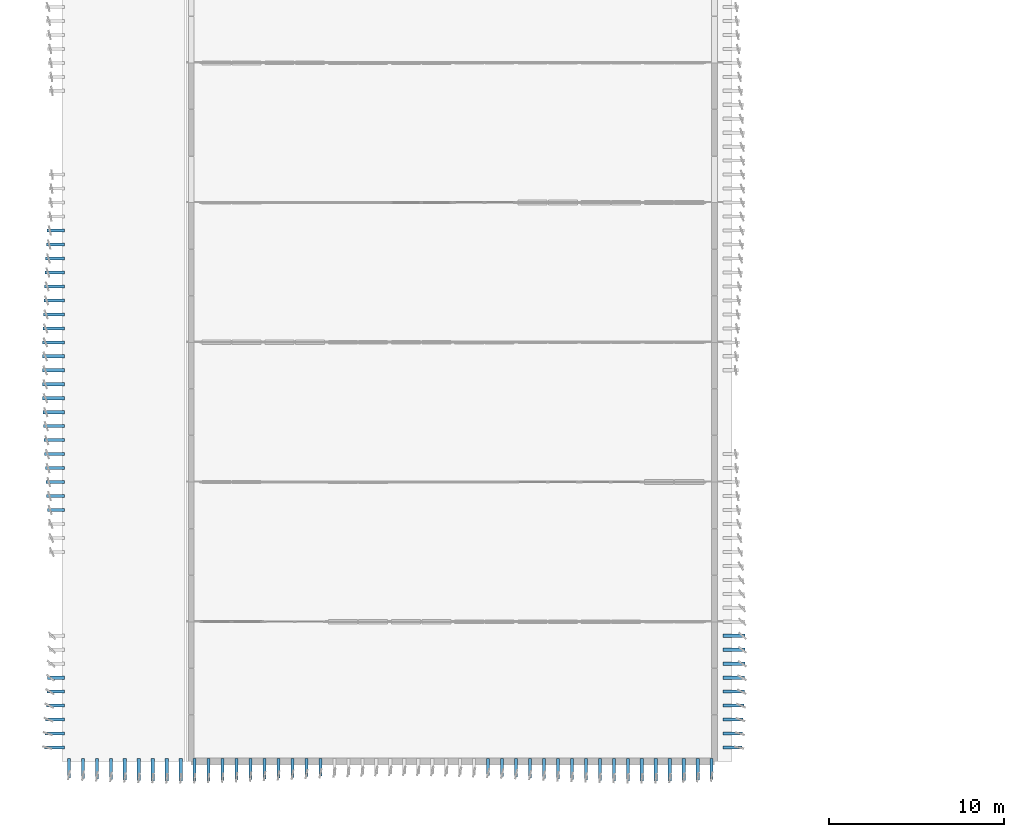
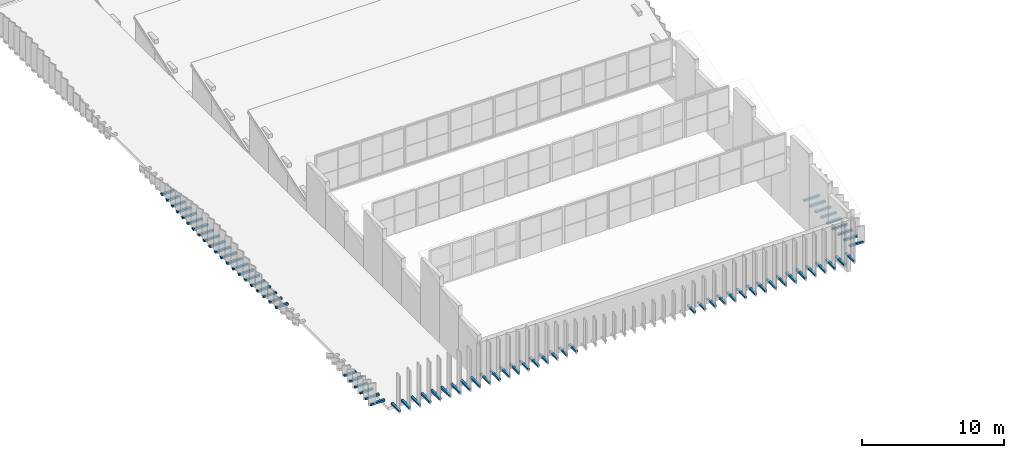
# One storey, part 33 of 45: 72 discrete accessories.
"""IFC4 building model written with IfcOpenShell, lengths in metres."""

from ifc_helpers import new_model, si_unit, direction, frame, origin, origin_2d, place, context, subcontext, project, spatial, rectangle, extrude, material, type_object, element, save


model = new_model("IFC4")

# Units and contexts
model_context = context("Model", 3, precision=1e-05, world=origin(), true_north=direction((0.0, 1.0)))
body_context = subcontext(model_context, "Body", "Model", "MODEL_VIEW")
ifc_project = project(units=[si_unit("LENGTHUNIT", "METRE"), si_unit("AREAUNIT", "SQUARE_METRE"), si_unit("VOLUMEUNIT", "CUBIC_METRE"), si_unit("PLANEANGLEUNIT", "RADIAN"), si_unit("MASSUNIT", "GRAM", prefix="KILO")], contexts=[model_context])

# Site, building, storey
site_placement = place(None, origin())
site = spatial("IfcSite", under=ifc_project, at=site_placement, CompositionType="ELEMENT")
building_placement = place(site_placement, origin())
building = spatial("IfcBuilding", under=site, at=building_placement, Name="Cinchona Park Media Centre", CompositionType="ELEMENT")
storey_placement = place(building_placement, frame((0.0, 0.0, 20.39990234375)))
storey = spatial("IfcBuildingStorey", under=building, at=storey_placement, Name="L04", CompositionType="ELEMENT", Elevation=20.39990234375)

# Discrete accessories
ifc_material = material(Name="Steel S355", Category="steel")
discrete_accessory_type = type_object("IfcDiscreteAccessoryType", Name="BRACKET-BRK01", PredefinedType="BRACKET", material=ifc_material)
discrete_accessory_1_placement = place(storey_placement, frame((7.655029296875, 38.0, 0.0400390625), z_axis=(0.0, 0.0, 1.0), x_axis=(0.0, -1.0, 0.0)))
element("IfcDiscreteAccessory", 1, at=discrete_accessory_1_placement, inside=storey, type_object=discrete_accessory_type, Name="Facade Fin Outrigger Bracket L04", PredefinedType="BRACKET", context=body_context, shape_type="SweptSolid", body=[
    extrude(rectangle(XDim=0.179931640625, YDim=1.010986328125, at=origin_2d()), origin(), (0.0, 0.0, 1.0), 0.159912109375),
])
discrete_accessory_2_placement = place(storey_placement, frame((7.635009765625, 37.199951171875, 0.0400390625), z_axis=(0.0, 0.0, 1.0), x_axis=(0.0, -1.0, 0.0)))
element("IfcDiscreteAccessory", 2, at=discrete_accessory_2_placement, inside=storey, type_object=discrete_accessory_type, Name="Facade Fin Outrigger Bracket L04", PredefinedType="BRACKET", context=body_context, shape_type="SweptSolid", body=[
    extrude(rectangle(XDim=0.179931640625, YDim=1.050048828125, at=origin_2d()), origin(), (0.0, 0.0, 1.0), 0.159912109375),
])
discrete_accessory_3_placement = place(storey_placement, frame((7.614990234375, 36.39990234375, 0.0400390625), z_axis=(0.0, 0.0, 1.0), x_axis=(0.0, -1.0, 0.0)))
element("IfcDiscreteAccessory", 3, at=discrete_accessory_3_placement, inside=storey, type_object=discrete_accessory_type, Name="Facade Fin Outrigger Bracket L04", PredefinedType="BRACKET", context=body_context, shape_type="SweptSolid", body=[
    extrude(rectangle(XDim=0.179931640625, YDim=1.090087890625, at=origin_2d()), origin(), (0.0, 0.0, 1.0), 0.159912109375),
])
discrete_accessory_4_placement = place(storey_placement, frame((7.594970703125, 35.60009765625, 0.0400390625), z_axis=(0.0, 0.0, 1.0), x_axis=(0.0, -1.0, 0.0)))
element("IfcDiscreteAccessory", 4, at=discrete_accessory_4_placement, inside=storey, type_object=discrete_accessory_type, Name="Facade Fin Outrigger Bracket L04", PredefinedType="BRACKET", context=body_context, shape_type="SweptSolid", body=[
    extrude(rectangle(XDim=0.179931640625, YDim=1.12890625, at=origin_2d()), origin(), (0.0, 0.0, 1.0), 0.159912109375),
])
discrete_accessory_5_placement = place(storey_placement, frame((7.576904296875, 34.800048828125, 0.0400390625), z_axis=(0.0, 0.0, 1.0), x_axis=(0.0, -1.0, 0.0)))
element("IfcDiscreteAccessory", 5, at=discrete_accessory_5_placement, inside=storey, type_object=discrete_accessory_type, Name="Facade Fin Outrigger Bracket L04", PredefinedType="BRACKET", context=body_context, shape_type="SweptSolid", body=[
    extrude(rectangle(XDim=0.179931640625, YDim=1.166015625, at=origin_2d()), origin(), (0.0, 0.0, 1.0), 0.159912109375),
])
discrete_accessory_6_placement = place(storey_placement, frame((7.56005859375, 34.0, 0.0400390625), z_axis=(0.0, 0.0, 1.0), x_axis=(0.0, -1.0, 0.0)))
element("IfcDiscreteAccessory", 6, at=discrete_accessory_6_placement, inside=storey, type_object=discrete_accessory_type, Name="Facade Fin Outrigger Bracket L04", PredefinedType="BRACKET", context=body_context, shape_type="SweptSolid", body=[
    extrude(rectangle(XDim=0.179931640625, YDim=1.199951171875, at=origin_2d()), origin(), (0.0, 0.0, 1.0), 0.159912109375),
])
discrete_accessory_7_placement = place(storey_placement, frame((7.5458984375, 33.199951171875, 0.0400390625), z_axis=(0.0, 0.0, 1.0), x_axis=(0.0, -1.0, 0.0)))
element("IfcDiscreteAccessory", 7, at=discrete_accessory_7_placement, inside=storey, type_object=discrete_accessory_type, Name="Facade Fin Outrigger Bracket L04", PredefinedType="BRACKET", context=body_context, shape_type="SweptSolid", body=[
    extrude(rectangle(XDim=0.179931640625, YDim=1.22900390625, at=origin_2d()), origin(), (0.0, 0.0, 1.0), 0.159912109375),
])
discrete_accessory_8_placement = place(storey_placement, frame((7.533935546875, 32.39990234375, 0.0400390625), z_axis=(0.0, 0.0, 1.0), x_axis=(0.0, -1.0, 0.0)))
element("IfcDiscreteAccessory", 8, at=discrete_accessory_8_placement, inside=storey, type_object=discrete_accessory_type, Name="Facade Fin Outrigger Bracket L04", PredefinedType="BRACKET", context=body_context, shape_type="SweptSolid", body=[
    extrude(rectangle(XDim=0.179931640625, YDim=1.251953125, at=origin_2d()), origin(), (0.0, 0.0, 1.0), 0.159912109375),
])
discrete_accessory_9_placement = place(storey_placement, frame((7.52587890625, 31.60009765625, 0.0400390625), z_axis=(0.0, 0.0, 1.0), x_axis=(0.0, -1.0, 0.0)))
element("IfcDiscreteAccessory", 9, at=discrete_accessory_9_placement, inside=storey, type_object=discrete_accessory_type, Name="Facade Fin Outrigger Bracket L04", PredefinedType="BRACKET", context=body_context, shape_type="SweptSolid", body=[
    extrude(rectangle(XDim=0.179931640625, YDim=1.26806640625, at=origin_2d()), origin(), (0.0, 0.0, 1.0), 0.159912109375),
])
discrete_accessory_10_placement = place(storey_placement, frame((7.52099609375, 30.800048828125, 0.0400390625), z_axis=(0.0, 0.0, 1.0), x_axis=(0.0, -1.0, 0.0)))
element("IfcDiscreteAccessory", 10, at=discrete_accessory_10_placement, inside=storey, type_object=discrete_accessory_type, Name="Facade Fin Outrigger Bracket L04", PredefinedType="BRACKET", context=body_context, shape_type="SweptSolid", body=[
    extrude(rectangle(XDim=0.179931640625, YDim=1.278076171875, at=origin_2d()), origin(), (0.0, 0.0, 1.0), 0.159912109375),
])
discrete_accessory_11_placement = place(storey_placement, frame((7.52001953125, 30.0, 0.0400390625), z_axis=(0.0, 0.0, 1.0), x_axis=(0.0, -1.0, 0.0)))
element("IfcDiscreteAccessory", 11, at=discrete_accessory_11_placement, inside=storey, type_object=discrete_accessory_type, Name="Facade Fin Outrigger Bracket L04", PredefinedType="BRACKET", context=body_context, shape_type="SweptSolid", body=[
    extrude(rectangle(XDim=0.179931640625, YDim=1.280029296875, at=origin_2d()), origin(), (0.0, 0.0, 1.0), 0.159912109375),
])
discrete_accessory_12_placement = place(storey_placement, frame((7.52294921875, 29.199951171875, 0.0400390625), z_axis=(0.0, 0.0, 1.0), x_axis=(0.0, -1.0, 0.0)))
element("IfcDiscreteAccessory", 12, at=discrete_accessory_12_placement, inside=storey, type_object=discrete_accessory_type, Name="Facade Fin Outrigger Bracket L04", PredefinedType="BRACKET", context=body_context, shape_type="SweptSolid", body=[
    extrude(rectangle(XDim=0.179931640625, YDim=1.27392578125, at=origin_2d()), origin(), (0.0, 0.0, 1.0), 0.159912109375),
])
discrete_accessory_13_placement = place(storey_placement, frame((7.529052734375, 28.39990234375, 0.0400390625), z_axis=(0.0, 0.0, 1.0), x_axis=(0.0, -1.0, 0.0)))
element("IfcDiscreteAccessory", 13, at=discrete_accessory_13_placement, inside=storey, type_object=discrete_accessory_type, Name="Facade Fin Outrigger Bracket L04", PredefinedType="BRACKET", context=body_context, shape_type="SweptSolid", body=[
    extrude(rectangle(XDim=0.179931640625, YDim=1.260986328125, at=origin_2d()), origin(), (0.0, 0.0, 1.0), 0.159912109375),
])
discrete_accessory_14_placement = place(storey_placement, frame((7.5390625, 27.60009765625, 0.0400390625), z_axis=(0.0, 0.0, 1.0), x_axis=(0.0, -1.0, 0.0)))
element("IfcDiscreteAccessory", 14, at=discrete_accessory_14_placement, inside=storey, type_object=discrete_accessory_type, Name="Facade Fin Outrigger Bracket L04", PredefinedType="BRACKET", context=body_context, shape_type="SweptSolid", body=[
    extrude(rectangle(XDim=0.179931640625, YDim=1.240966796875, at=origin_2d()), origin(), (0.0, 0.0, 1.0), 0.159912109375),
])
discrete_accessory_15_placement = place(storey_placement, frame((7.552978515625, 26.800048828125, 0.0400390625), z_axis=(0.0, 0.0, 1.0), x_axis=(0.0, -1.0, 0.0)))
element("IfcDiscreteAccessory", 15, at=discrete_accessory_15_placement, inside=storey, type_object=discrete_accessory_type, Name="Facade Fin Outrigger Bracket L04", PredefinedType="BRACKET", context=body_context, shape_type="SweptSolid", body=[
    extrude(rectangle(XDim=0.179931640625, YDim=1.215087890625, at=origin_2d()), origin(), (0.0, 0.0, 1.0), 0.159912109375),
])
discrete_accessory_16_placement = place(storey_placement, frame((7.568115234375, 26.0, 0.0400390625), z_axis=(0.0, 0.0, 1.0), x_axis=(0.0, -1.0, 0.0)))
element("IfcDiscreteAccessory", 16, at=discrete_accessory_16_placement, inside=storey, type_object=discrete_accessory_type, Name="Facade Fin Outrigger Bracket L04", PredefinedType="BRACKET", context=body_context, shape_type="SweptSolid", body=[
    extrude(rectangle(XDim=0.179931640625, YDim=1.18408203125, at=origin_2d()), origin(), (0.0, 0.0, 1.0), 0.159912109375),
])
discrete_accessory_17_placement = place(storey_placement, frame((7.5859375, 25.199951171875, 0.0400390625), z_axis=(0.0, 0.0, 1.0), x_axis=(0.0, -1.0, 0.0)))
element("IfcDiscreteAccessory", 17, at=discrete_accessory_17_placement, inside=storey, type_object=discrete_accessory_type, Name="Facade Fin Outrigger Bracket L04", PredefinedType="BRACKET", context=body_context, shape_type="SweptSolid", body=[
    extrude(rectangle(XDim=0.179931640625, YDim=1.14794921875, at=origin_2d()), origin(), (0.0, 0.0, 1.0), 0.159912109375),
])
discrete_accessory_18_placement = place(storey_placement, frame((7.60498046875, 24.39990234375, 0.0400390625), z_axis=(0.0, 0.0, 1.0), x_axis=(0.0, -1.0, 0.0)))
element("IfcDiscreteAccessory", 18, at=discrete_accessory_18_placement, inside=storey, type_object=discrete_accessory_type, Name="Facade Fin Outrigger Bracket L04", PredefinedType="BRACKET", context=body_context, shape_type="SweptSolid", body=[
    extrude(rectangle(XDim=0.179931640625, YDim=1.110107421875, at=origin_2d()), origin(), (0.0, 0.0, 1.0), 0.159912109375),
])
discrete_accessory_19_placement = place(storey_placement, frame((7.625, 23.60009765625, 0.0400390625), z_axis=(0.0, 0.0, 1.0), x_axis=(0.0, -1.0, 0.0)))
element("IfcDiscreteAccessory", 19, at=discrete_accessory_19_placement, inside=storey, type_object=discrete_accessory_type, Name="Facade Fin Outrigger Bracket L04", PredefinedType="BRACKET", context=body_context, shape_type="SweptSolid", body=[
    extrude(rectangle(XDim=0.179931640625, YDim=1.070068359375, at=origin_2d()), origin(), (0.0, 0.0, 1.0), 0.159912109375),
])
discrete_accessory_20_placement = place(storey_placement, frame((7.64501953125, 22.800048828125, 0.0400390625), z_axis=(0.0, 0.0, 1.0), x_axis=(0.0, -1.0, 0.0)))
element("IfcDiscreteAccessory", 20, at=discrete_accessory_20_placement, inside=storey, type_object=discrete_accessory_type, Name="Facade Fin Outrigger Bracket L04", PredefinedType="BRACKET", context=body_context, shape_type="SweptSolid", body=[
    extrude(rectangle(XDim=0.179931640625, YDim=1.030029296875, at=origin_2d()), origin(), (0.0, 0.0, 1.0), 0.159912109375),
])
discrete_accessory_21_placement = place(storey_placement, frame((7.6640625, 22.0, 0.0400390625), z_axis=(0.0, 0.0, 1.0), x_axis=(0.0, -1.0, 0.0)))
element("IfcDiscreteAccessory", 21, at=discrete_accessory_21_placement, inside=storey, type_object=discrete_accessory_type, Name="Facade Fin Outrigger Bracket L04", PredefinedType="BRACKET", context=body_context, shape_type="SweptSolid", body=[
    extrude(rectangle(XDim=0.179931640625, YDim=0.991943359375, at=origin_2d()), origin(), (0.0, 0.0, 1.0), 0.159912109375),
])
discrete_accessory_22_placement = place(storey_placement, frame((7.673095703125, 12.39990234375, 0.0400390625), z_axis=(0.0, 0.0, 1.0), x_axis=(0.0, -1.0, 0.0)))
element("IfcDiscreteAccessory", 22, at=discrete_accessory_22_placement, inside=storey, type_object=discrete_accessory_type, Name="Facade Fin Outrigger Bracket L04", PredefinedType="BRACKET", context=body_context, shape_type="SweptSolid", body=[
    extrude(rectangle(XDim=0.179931640625, YDim=0.97412109375, at=origin_2d()), origin(), (0.0, 0.0, 1.0), 0.159912109375),
])
discrete_accessory_23_placement = place(storey_placement, frame((7.655029296875, 11.60009765625, 0.0400390625), z_axis=(0.0, 0.0, 1.0), x_axis=(0.0, -1.0, 0.0)))
element("IfcDiscreteAccessory", 23, at=discrete_accessory_23_placement, inside=storey, type_object=discrete_accessory_type, Name="Facade Fin Outrigger Bracket L04", PredefinedType="BRACKET", context=body_context, shape_type="SweptSolid", body=[
    extrude(rectangle(XDim=0.179931640625, YDim=1.010986328125, at=origin_2d()), origin(), (0.0, 0.0, 1.0), 0.159912109375),
])
discrete_accessory_24_placement = place(storey_placement, frame((7.635009765625, 10.800048828125, 0.0400390625), z_axis=(0.0, 0.0, 1.0), x_axis=(0.0, -1.0, 0.0)))
element("IfcDiscreteAccessory", 24, at=discrete_accessory_24_placement, inside=storey, type_object=discrete_accessory_type, Name="Facade Fin Outrigger Bracket L04", PredefinedType="BRACKET", context=body_context, shape_type="SweptSolid", body=[
    extrude(rectangle(XDim=0.179931640625, YDim=1.050048828125, at=origin_2d()), origin(), (0.0, 0.0, 1.0), 0.159912109375),
])
discrete_accessory_25_placement = place(storey_placement, frame((7.614990234375, 10.0, 0.0400390625), z_axis=(0.0, 0.0, 1.0), x_axis=(0.0, -1.0, 0.0)))
element("IfcDiscreteAccessory", 25, at=discrete_accessory_25_placement, inside=storey, type_object=discrete_accessory_type, Name="Facade Fin Outrigger Bracket L04", PredefinedType="BRACKET", context=body_context, shape_type="SweptSolid", body=[
    extrude(rectangle(XDim=0.179931640625, YDim=1.090087890625, at=origin_2d()), origin(), (0.0, 0.0, 1.0), 0.159912109375),
])
discrete_accessory_26_placement = place(storey_placement, frame((7.594970703125, 9.199951171875, 0.0400390625), z_axis=(0.0, 0.0, 1.0), x_axis=(0.0, -1.0, 0.0)))
element("IfcDiscreteAccessory", 26, at=discrete_accessory_26_placement, inside=storey, type_object=discrete_accessory_type, Name="Facade Fin Outrigger Bracket L04", PredefinedType="BRACKET", context=body_context, shape_type="SweptSolid", body=[
    extrude(rectangle(XDim=0.179931640625, YDim=1.12890625, at=origin_2d()), origin(), (0.0, 0.0, 1.0), 0.159912109375),
])
discrete_accessory_27_placement = place(storey_placement, frame((7.576904296875, 8.39990234375, 0.0400390625), z_axis=(0.0, 0.0, 1.0), x_axis=(0.0, -1.0, 0.0)))
element("IfcDiscreteAccessory", 27, at=discrete_accessory_27_placement, inside=storey, type_object=discrete_accessory_type, Name="Facade Fin Outrigger Bracket L04", PredefinedType="BRACKET", context=body_context, shape_type="SweptSolid", body=[
    extrude(rectangle(XDim=0.179931640625, YDim=1.166015625, at=origin_2d()), origin(), (0.0, 0.0, 1.0), 0.159912109375),
])
discrete_accessory_28_placement = place(storey_placement, frame((8.39990234375, 7.215087890625, 0.0400390625), z_axis=(0.0, 0.0, 1.0), x_axis=(1.0, 0.0, 0.0)))
element("IfcDiscreteAccessory", 28, at=discrete_accessory_28_placement, inside=storey, type_object=discrete_accessory_type, Name="Facade Fin Outrigger Bracket L04", PredefinedType="BRACKET", context=body_context, shape_type="SweptSolid", body=[
    extrude(rectangle(XDim=0.179931640625, YDim=1.090087890625, at=origin_2d()), origin(), (0.0, 0.0, 1.0), 0.159912109375),
])
discrete_accessory_29_placement = place(storey_placement, frame((9.199951171875, 7.195068359375, 0.0400390625), z_axis=(0.0, 0.0, 1.0), x_axis=(1.0, 0.0, 0.0)))
element("IfcDiscreteAccessory", 29, at=discrete_accessory_29_placement, inside=storey, type_object=discrete_accessory_type, Name="Facade Fin Outrigger Bracket L04", PredefinedType="BRACKET", context=body_context, shape_type="SweptSolid", body=[
    extrude(rectangle(XDim=0.179931640625, YDim=1.12890625, at=origin_2d()), origin(), (0.0, 0.0, 1.0), 0.159912109375),
])
discrete_accessory_30_placement = place(storey_placement, frame((10.0, 7.177001953125, 0.0400390625), z_axis=(0.0, 0.0, 1.0), x_axis=(1.0, 0.0, 0.0)))
element("IfcDiscreteAccessory", 30, at=discrete_accessory_30_placement, inside=storey, type_object=discrete_accessory_type, Name="Facade Fin Outrigger Bracket L04", PredefinedType="BRACKET", context=body_context, shape_type="SweptSolid", body=[
    extrude(rectangle(XDim=0.179931640625, YDim=1.166015625, at=origin_2d()), origin(), (0.0, 0.0, 1.0), 0.159912109375),
])
discrete_accessory_31_placement = place(storey_placement, frame((10.800048828125, 7.159912109375, 0.0400390625), z_axis=(0.0, 0.0, 1.0), x_axis=(1.0, 0.0, 0.0)))
element("IfcDiscreteAccessory", 31, at=discrete_accessory_31_placement, inside=storey, type_object=discrete_accessory_type, Name="Facade Fin Outrigger Bracket L04", PredefinedType="BRACKET", context=body_context, shape_type="SweptSolid", body=[
    extrude(rectangle(XDim=0.179931640625, YDim=1.199951171875, at=origin_2d()), origin(), (0.0, 0.0, 1.0), 0.159912109375),
])
discrete_accessory_32_placement = place(storey_placement, frame((11.60009765625, 7.14599609375, 0.0400390625), z_axis=(0.0, 0.0, 1.0), x_axis=(1.0, 0.0, 0.0)))
element("IfcDiscreteAccessory", 32, at=discrete_accessory_32_placement, inside=storey, type_object=discrete_accessory_type, Name="Facade Fin Outrigger Bracket L04", PredefinedType="BRACKET", context=body_context, shape_type="SweptSolid", body=[
    extrude(rectangle(XDim=0.179931640625, YDim=1.22900390625, at=origin_2d()), origin(), (0.0, 0.0, 1.0), 0.159912109375),
])
discrete_accessory_33_placement = place(storey_placement, frame((12.39990234375, 7.134033203125, 0.0400390625), z_axis=(0.0, 0.0, 1.0), x_axis=(1.0, 0.0, 0.0)))
element("IfcDiscreteAccessory", 33, at=discrete_accessory_33_placement, inside=storey, type_object=discrete_accessory_type, Name="Facade Fin Outrigger Bracket L04", PredefinedType="BRACKET", context=body_context, shape_type="SweptSolid", body=[
    extrude(rectangle(XDim=0.179931640625, YDim=1.251953125, at=origin_2d()), origin(), (0.0, 0.0, 1.0), 0.159912109375),
])
discrete_accessory_34_placement = place(storey_placement, frame((13.199951171875, 7.1259765625, 0.0400390625), z_axis=(0.0, 0.0, 1.0), x_axis=(1.0, 0.0, 0.0)))
element("IfcDiscreteAccessory", 34, at=discrete_accessory_34_placement, inside=storey, type_object=discrete_accessory_type, Name="Facade Fin Outrigger Bracket L04", PredefinedType="BRACKET", context=body_context, shape_type="SweptSolid", body=[
    extrude(rectangle(XDim=0.179931640625, YDim=1.26806640625, at=origin_2d()), origin(), (0.0, 0.0, 1.0), 0.159912109375),
])
discrete_accessory_35_placement = place(storey_placement, frame((14.0, 7.12109375, 0.0400390625), z_axis=(0.0, 0.0, 1.0), x_axis=(1.0, 0.0, 0.0)))
element("IfcDiscreteAccessory", 35, at=discrete_accessory_35_placement, inside=storey, type_object=discrete_accessory_type, Name="Facade Fin Outrigger Bracket L04", PredefinedType="BRACKET", context=body_context, shape_type="SweptSolid", body=[
    extrude(rectangle(XDim=0.179931640625, YDim=1.278076171875, at=origin_2d()), origin(), (0.0, 0.0, 1.0), 0.159912109375),
])
discrete_accessory_36_placement = place(storey_placement, frame((14.800048828125, 7.1201171875, 0.0400390625), z_axis=(0.0, 0.0, 1.0), x_axis=(1.0, 0.0, 0.0)))
element("IfcDiscreteAccessory", 36, at=discrete_accessory_36_placement, inside=storey, type_object=discrete_accessory_type, Name="Facade Fin Outrigger Bracket L04", PredefinedType="BRACKET", context=body_context, shape_type="SweptSolid", body=[
    extrude(rectangle(XDim=0.179931640625, YDim=1.280029296875, at=origin_2d()), origin(), (0.0, 0.0, 1.0), 0.159912109375),
])
discrete_accessory_37_placement = place(storey_placement, frame((15.60009765625, 7.123046875, 0.0400390625), z_axis=(0.0, 0.0, 1.0), x_axis=(1.0, 0.0, 0.0)))
element("IfcDiscreteAccessory", 37, at=discrete_accessory_37_placement, inside=storey, type_object=discrete_accessory_type, Name="Facade Fin Outrigger Bracket L04", PredefinedType="BRACKET", context=body_context, shape_type="SweptSolid", body=[
    extrude(rectangle(XDim=0.179931640625, YDim=1.27392578125, at=origin_2d()), origin(), (0.0, 0.0, 1.0), 0.159912109375),
])
discrete_accessory_38_placement = place(storey_placement, frame((16.39990234375, 7.12890625, 0.0400390625), z_axis=(0.0, 0.0, 1.0), x_axis=(1.0, 0.0, 0.0)))
element("IfcDiscreteAccessory", 38, at=discrete_accessory_38_placement, inside=storey, type_object=discrete_accessory_type, Name="Facade Fin Outrigger Bracket L04", PredefinedType="BRACKET", context=body_context, shape_type="SweptSolid", body=[
    extrude(rectangle(XDim=0.179931640625, YDim=1.260986328125, at=origin_2d()), origin(), (0.0, 0.0, 1.0), 0.159912109375),
])
discrete_accessory_39_placement = place(storey_placement, frame((17.199951171875, 7.138916015625, 0.0400390625), z_axis=(0.0, 0.0, 1.0), x_axis=(1.0, 0.0, 0.0)))
element("IfcDiscreteAccessory", 39, at=discrete_accessory_39_placement, inside=storey, type_object=discrete_accessory_type, Name="Facade Fin Outrigger Bracket L04", PredefinedType="BRACKET", context=body_context, shape_type="SweptSolid", body=[
    extrude(rectangle(XDim=0.179931640625, YDim=1.240966796875, at=origin_2d()), origin(), (0.0, 0.0, 1.0), 0.159912109375),
])
discrete_accessory_40_placement = place(storey_placement, frame((18.0, 7.153076171875, 0.0400390625), z_axis=(0.0, 0.0, 1.0), x_axis=(1.0, 0.0, 0.0)))
element("IfcDiscreteAccessory", 40, at=discrete_accessory_40_placement, inside=storey, type_object=discrete_accessory_type, Name="Facade Fin Outrigger Bracket L04", PredefinedType="BRACKET", context=body_context, shape_type="SweptSolid", body=[
    extrude(rectangle(XDim=0.179931640625, YDim=1.215087890625, at=origin_2d()), origin(), (0.0, 0.0, 1.0), 0.159912109375),
])
discrete_accessory_41_placement = place(storey_placement, frame((18.800048828125, 7.16796875, 0.0400390625), z_axis=(0.0, 0.0, 1.0), x_axis=(1.0, 0.0, 0.0)))
element("IfcDiscreteAccessory", 41, at=discrete_accessory_41_placement, inside=storey, type_object=discrete_accessory_type, Name="Facade Fin Outrigger Bracket L04", PredefinedType="BRACKET", context=body_context, shape_type="SweptSolid", body=[
    extrude(rectangle(XDim=0.179931640625, YDim=1.18408203125, at=origin_2d()), origin(), (0.0, 0.0, 1.0), 0.159912109375),
])
discrete_accessory_42_placement = place(storey_placement, frame((19.60009765625, 7.18603515625, 0.0400390625), z_axis=(0.0, 0.0, 1.0), x_axis=(1.0, 0.0, 0.0)))
element("IfcDiscreteAccessory", 42, at=discrete_accessory_42_placement, inside=storey, type_object=discrete_accessory_type, Name="Facade Fin Outrigger Bracket L04", PredefinedType="BRACKET", context=body_context, shape_type="SweptSolid", body=[
    extrude(rectangle(XDim=0.179931640625, YDim=1.14794921875, at=origin_2d()), origin(), (0.0, 0.0, 1.0), 0.159912109375),
])
discrete_accessory_43_placement = place(storey_placement, frame((20.39990234375, 7.205078125, 0.0400390625), z_axis=(0.0, 0.0, 1.0), x_axis=(1.0, 0.0, 0.0)))
element("IfcDiscreteAccessory", 43, at=discrete_accessory_43_placement, inside=storey, type_object=discrete_accessory_type, Name="Facade Fin Outrigger Bracket L04", PredefinedType="BRACKET", context=body_context, shape_type="SweptSolid", body=[
    extrude(rectangle(XDim=0.179931640625, YDim=1.110107421875, at=origin_2d()), origin(), (0.0, 0.0, 1.0), 0.159912109375),
])
discrete_accessory_44_placement = place(storey_placement, frame((21.199951171875, 7.22509765625, 0.0400390625), z_axis=(0.0, 0.0, 1.0), x_axis=(1.0, 0.0, 0.0)))
element("IfcDiscreteAccessory", 44, at=discrete_accessory_44_placement, inside=storey, type_object=discrete_accessory_type, Name="Facade Fin Outrigger Bracket L04", PredefinedType="BRACKET", context=body_context, shape_type="SweptSolid", body=[
    extrude(rectangle(XDim=0.179931640625, YDim=1.070068359375, at=origin_2d()), origin(), (0.0, 0.0, 1.0), 0.159912109375),
])
discrete_accessory_45_placement = place(storey_placement, frame((22.0, 7.2451171875, 0.0400390625), z_axis=(0.0, 0.0, 1.0), x_axis=(1.0, 0.0, 0.0)))
element("IfcDiscreteAccessory", 45, at=discrete_accessory_45_placement, inside=storey, type_object=discrete_accessory_type, Name="Facade Fin Outrigger Bracket L04", PredefinedType="BRACKET", context=body_context, shape_type="SweptSolid", body=[
    extrude(rectangle(XDim=0.179931640625, YDim=1.030029296875, at=origin_2d()), origin(), (0.0, 0.0, 1.0), 0.159912109375),
])
discrete_accessory_46_placement = place(storey_placement, frame((22.800048828125, 7.263916015625, 0.0400390625), z_axis=(0.0, 0.0, 1.0), x_axis=(1.0, 0.0, 0.0)))
element("IfcDiscreteAccessory", 46, at=discrete_accessory_46_placement, inside=storey, type_object=discrete_accessory_type, Name="Facade Fin Outrigger Bracket L04", PredefinedType="BRACKET", context=body_context, shape_type="SweptSolid", body=[
    extrude(rectangle(XDim=0.179931640625, YDim=0.991943359375, at=origin_2d()), origin(), (0.0, 0.0, 1.0), 0.159912109375),
])
discrete_accessory_47_placement = place(storey_placement, frame((32.39990234375, 7.27294921875, 0.0400390625), z_axis=(0.0, 0.0, 1.0), x_axis=(1.0, 0.0, 0.0)))
element("IfcDiscreteAccessory", 47, at=discrete_accessory_47_placement, inside=storey, type_object=discrete_accessory_type, Name="Facade Fin Outrigger Bracket L04", PredefinedType="BRACKET", context=body_context, shape_type="SweptSolid", body=[
    extrude(rectangle(XDim=0.179931640625, YDim=0.97412109375, at=origin_2d()), origin(), (0.0, 0.0, 1.0), 0.159912109375),
])
discrete_accessory_48_placement = place(storey_placement, frame((33.199951171875, 7.2548828125, 0.0400390625), z_axis=(0.0, 0.0, 1.0), x_axis=(1.0, 0.0, 0.0)))
element("IfcDiscreteAccessory", 48, at=discrete_accessory_48_placement, inside=storey, type_object=discrete_accessory_type, Name="Facade Fin Outrigger Bracket L04", PredefinedType="BRACKET", context=body_context, shape_type="SweptSolid", body=[
    extrude(rectangle(XDim=0.179931640625, YDim=1.010986328125, at=origin_2d()), origin(), (0.0, 0.0, 1.0), 0.159912109375),
])
discrete_accessory_49_placement = place(storey_placement, frame((34.0, 7.235107421875, 0.0400390625), z_axis=(0.0, 0.0, 1.0), x_axis=(1.0, 0.0, 0.0)))
element("IfcDiscreteAccessory", 49, at=discrete_accessory_49_placement, inside=storey, type_object=discrete_accessory_type, Name="Facade Fin Outrigger Bracket L04", PredefinedType="BRACKET", context=body_context, shape_type="SweptSolid", body=[
    extrude(rectangle(XDim=0.179931640625, YDim=1.050048828125, at=origin_2d()), origin(), (0.0, 0.0, 1.0), 0.159912109375),
])
discrete_accessory_50_placement = place(storey_placement, frame((34.800048828125, 7.215087890625, 0.0400390625), z_axis=(0.0, 0.0, 1.0), x_axis=(1.0, 0.0, 0.0)))
element("IfcDiscreteAccessory", 50, at=discrete_accessory_50_placement, inside=storey, type_object=discrete_accessory_type, Name="Facade Fin Outrigger Bracket L04", PredefinedType="BRACKET", context=body_context, shape_type="SweptSolid", body=[
    extrude(rectangle(XDim=0.179931640625, YDim=1.090087890625, at=origin_2d()), origin(), (0.0, 0.0, 1.0), 0.159912109375),
])
discrete_accessory_51_placement = place(storey_placement, frame((35.60009765625, 7.195068359375, 0.0400390625), z_axis=(0.0, 0.0, 1.0), x_axis=(1.0, 0.0, 0.0)))
element("IfcDiscreteAccessory", 51, at=discrete_accessory_51_placement, inside=storey, type_object=discrete_accessory_type, Name="Facade Fin Outrigger Bracket L04", PredefinedType="BRACKET", context=body_context, shape_type="SweptSolid", body=[
    extrude(rectangle(XDim=0.179931640625, YDim=1.12890625, at=origin_2d()), origin(), (0.0, 0.0, 1.0), 0.159912109375),
])
discrete_accessory_52_placement = place(storey_placement, frame((36.39990234375, 7.177001953125, 0.0400390625), z_axis=(0.0, 0.0, 1.0), x_axis=(1.0, 0.0, 0.0)))
element("IfcDiscreteAccessory", 52, at=discrete_accessory_52_placement, inside=storey, type_object=discrete_accessory_type, Name="Facade Fin Outrigger Bracket L04", PredefinedType="BRACKET", context=body_context, shape_type="SweptSolid", body=[
    extrude(rectangle(XDim=0.179931640625, YDim=1.166015625, at=origin_2d()), origin(), (0.0, 0.0, 1.0), 0.159912109375),
])
discrete_accessory_53_placement = place(storey_placement, frame((37.199951171875, 7.159912109375, 0.0400390625), z_axis=(0.0, 0.0, 1.0), x_axis=(1.0, 0.0, 0.0)))
element("IfcDiscreteAccessory", 53, at=discrete_accessory_53_placement, inside=storey, type_object=discrete_accessory_type, Name="Facade Fin Outrigger Bracket L04", PredefinedType="BRACKET", context=body_context, shape_type="SweptSolid", body=[
    extrude(rectangle(XDim=0.179931640625, YDim=1.199951171875, at=origin_2d()), origin(), (0.0, 0.0, 1.0), 0.159912109375),
])
discrete_accessory_54_placement = place(storey_placement, frame((38.0, 7.14599609375, 0.0400390625), z_axis=(0.0, 0.0, 1.0), x_axis=(1.0, 0.0, 0.0)))
element("IfcDiscreteAccessory", 54, at=discrete_accessory_54_placement, inside=storey, type_object=discrete_accessory_type, Name="Facade Fin Outrigger Bracket L04", PredefinedType="BRACKET", context=body_context, shape_type="SweptSolid", body=[
    extrude(rectangle(XDim=0.179931640625, YDim=1.22900390625, at=origin_2d()), origin(), (0.0, 0.0, 1.0), 0.159912109375),
])
discrete_accessory_55_placement = place(storey_placement, frame((38.800048828125, 7.134033203125, 0.0400390625), z_axis=(0.0, 0.0, 1.0), x_axis=(1.0, 0.0, 0.0)))
element("IfcDiscreteAccessory", 55, at=discrete_accessory_55_placement, inside=storey, type_object=discrete_accessory_type, Name="Facade Fin Outrigger Bracket L04", PredefinedType="BRACKET", context=body_context, shape_type="SweptSolid", body=[
    extrude(rectangle(XDim=0.179931640625, YDim=1.251953125, at=origin_2d()), origin(), (0.0, 0.0, 1.0), 0.159912109375),
])
discrete_accessory_56_placement = place(storey_placement, frame((39.60009765625, 7.1259765625, 0.0400390625), z_axis=(0.0, 0.0, 1.0), x_axis=(1.0, 0.0, 0.0)))
element("IfcDiscreteAccessory", 56, at=discrete_accessory_56_placement, inside=storey, type_object=discrete_accessory_type, Name="Facade Fin Outrigger Bracket L04", PredefinedType="BRACKET", context=body_context, shape_type="SweptSolid", body=[
    extrude(rectangle(XDim=0.179931640625, YDim=1.26806640625, at=origin_2d()), origin(), (0.0, 0.0, 1.0), 0.159912109375),
])
discrete_accessory_57_placement = place(storey_placement, frame((40.39990234375, 7.12109375, 0.0400390625), z_axis=(0.0, 0.0, 1.0), x_axis=(1.0, 0.0, 0.0)))
element("IfcDiscreteAccessory", 57, at=discrete_accessory_57_placement, inside=storey, type_object=discrete_accessory_type, Name="Facade Fin Outrigger Bracket L04", PredefinedType="BRACKET", context=body_context, shape_type="SweptSolid", body=[
    extrude(rectangle(XDim=0.179931640625, YDim=1.278076171875, at=origin_2d()), origin(), (0.0, 0.0, 1.0), 0.159912109375),
])
discrete_accessory_58_placement = place(storey_placement, frame((41.199951171875, 7.1201171875, 0.0400390625), z_axis=(0.0, 0.0, 1.0), x_axis=(1.0, 0.0, 0.0)))
element("IfcDiscreteAccessory", 58, at=discrete_accessory_58_placement, inside=storey, type_object=discrete_accessory_type, Name="Facade Fin Outrigger Bracket L04", PredefinedType="BRACKET", context=body_context, shape_type="SweptSolid", body=[
    extrude(rectangle(XDim=0.179931640625, YDim=1.280029296875, at=origin_2d()), origin(), (0.0, 0.0, 1.0), 0.159912109375),
])
discrete_accessory_59_placement = place(storey_placement, frame((42.0, 7.123046875, 0.0400390625), z_axis=(0.0, 0.0, 1.0), x_axis=(1.0, 0.0, 0.0)))
element("IfcDiscreteAccessory", 59, at=discrete_accessory_59_placement, inside=storey, type_object=discrete_accessory_type, Name="Facade Fin Outrigger Bracket L04", PredefinedType="BRACKET", context=body_context, shape_type="SweptSolid", body=[
    extrude(rectangle(XDim=0.179931640625, YDim=1.27392578125, at=origin_2d()), origin(), (0.0, 0.0, 1.0), 0.159912109375),
])
discrete_accessory_60_placement = place(storey_placement, frame((42.800048828125, 7.12890625, 0.0400390625), z_axis=(0.0, 0.0, 1.0), x_axis=(1.0, 0.0, 0.0)))
element("IfcDiscreteAccessory", 60, at=discrete_accessory_60_placement, inside=storey, type_object=discrete_accessory_type, Name="Facade Fin Outrigger Bracket L04", PredefinedType="BRACKET", context=body_context, shape_type="SweptSolid", body=[
    extrude(rectangle(XDim=0.179931640625, YDim=1.260986328125, at=origin_2d()), origin(), (0.0, 0.0, 1.0), 0.159912109375),
])
discrete_accessory_61_placement = place(storey_placement, frame((43.60009765625, 7.138916015625, 0.0400390625), z_axis=(0.0, 0.0, 1.0), x_axis=(1.0, 0.0, 0.0)))
element("IfcDiscreteAccessory", 61, at=discrete_accessory_61_placement, inside=storey, type_object=discrete_accessory_type, Name="Facade Fin Outrigger Bracket L04", PredefinedType="BRACKET", context=body_context, shape_type="SweptSolid", body=[
    extrude(rectangle(XDim=0.179931640625, YDim=1.240966796875, at=origin_2d()), origin(), (0.0, 0.0, 1.0), 0.159912109375),
])
discrete_accessory_62_placement = place(storey_placement, frame((44.39990234375, 7.153076171875, 0.0400390625), z_axis=(0.0, 0.0, 1.0), x_axis=(1.0, 0.0, 0.0)))
element("IfcDiscreteAccessory", 62, at=discrete_accessory_62_placement, inside=storey, type_object=discrete_accessory_type, Name="Facade Fin Outrigger Bracket L04", PredefinedType="BRACKET", context=body_context, shape_type="SweptSolid", body=[
    extrude(rectangle(XDim=0.179931640625, YDim=1.215087890625, at=origin_2d()), origin(), (0.0, 0.0, 1.0), 0.159912109375),
])
discrete_accessory_63_placement = place(storey_placement, frame((45.199951171875, 7.16796875, 0.0400390625), z_axis=(0.0, 0.0, 1.0), x_axis=(1.0, 0.0, 0.0)))
element("IfcDiscreteAccessory", 63, at=discrete_accessory_63_placement, inside=storey, type_object=discrete_accessory_type, Name="Facade Fin Outrigger Bracket L04", PredefinedType="BRACKET", context=body_context, shape_type="SweptSolid", body=[
    extrude(rectangle(XDim=0.179931640625, YDim=1.18408203125, at=origin_2d()), origin(), (0.0, 0.0, 1.0), 0.159912109375),
])
discrete_accessory_64_placement = place(storey_placement, frame((46.385009765625, 8.39990234375, 0.0400390625), z_axis=(0.0, 0.0, 1.0), x_axis=(0.0, 1.0, 0.0)))
element("IfcDiscreteAccessory", 64, at=discrete_accessory_64_placement, inside=storey, type_object=discrete_accessory_type, Name="Facade Fin Outrigger Bracket L04", PredefinedType="BRACKET", context=body_context, shape_type="SweptSolid", body=[
    extrude(rectangle(XDim=0.179931640625, YDim=1.090087890625, at=origin_2d()), origin(), (0.0, 0.0, 1.0), 0.159912109375),
])
discrete_accessory_65_placement = place(storey_placement, frame((46.405029296875, 9.199951171875, 0.0400390625), z_axis=(0.0, 0.0, 1.0), x_axis=(0.0, 1.0, 0.0)))
element("IfcDiscreteAccessory", 65, at=discrete_accessory_65_placement, inside=storey, type_object=discrete_accessory_type, Name="Facade Fin Outrigger Bracket L04", PredefinedType="BRACKET", context=body_context, shape_type="SweptSolid", body=[
    extrude(rectangle(XDim=0.179931640625, YDim=1.12890625, at=origin_2d()), origin(), (0.0, 0.0, 1.0), 0.159912109375),
])
discrete_accessory_66_placement = place(storey_placement, frame((46.423095703125, 10.0, 0.0400390625), z_axis=(0.0, 0.0, 1.0), x_axis=(0.0, 1.0, 0.0)))
element("IfcDiscreteAccessory", 66, at=discrete_accessory_66_placement, inside=storey, type_object=discrete_accessory_type, Name="Facade Fin Outrigger Bracket L04", PredefinedType="BRACKET", context=body_context, shape_type="SweptSolid", body=[
    extrude(rectangle(XDim=0.179931640625, YDim=1.166015625, at=origin_2d()), origin(), (0.0, 0.0, 1.0), 0.159912109375),
])
discrete_accessory_67_placement = place(storey_placement, frame((46.43994140625, 10.800048828125, 0.0400390625), z_axis=(0.0, 0.0, 1.0), x_axis=(0.0, 1.0, 0.0)))
element("IfcDiscreteAccessory", 67, at=discrete_accessory_67_placement, inside=storey, type_object=discrete_accessory_type, Name="Facade Fin Outrigger Bracket L04", PredefinedType="BRACKET", context=body_context, shape_type="SweptSolid", body=[
    extrude(rectangle(XDim=0.179931640625, YDim=1.199951171875, at=origin_2d()), origin(), (0.0, 0.0, 1.0), 0.159912109375),
])
discrete_accessory_68_placement = place(storey_placement, frame((46.4541015625, 11.60009765625, 0.0400390625), z_axis=(0.0, 0.0, 1.0), x_axis=(0.0, 1.0, 0.0)))
element("IfcDiscreteAccessory", 68, at=discrete_accessory_68_placement, inside=storey, type_object=discrete_accessory_type, Name="Facade Fin Outrigger Bracket L04", PredefinedType="BRACKET", context=body_context, shape_type="SweptSolid", body=[
    extrude(rectangle(XDim=0.179931640625, YDim=1.22900390625, at=origin_2d()), origin(), (0.0, 0.0, 1.0), 0.159912109375),
])
discrete_accessory_69_placement = place(storey_placement, frame((46.466064453125, 12.39990234375, 0.0400390625), z_axis=(0.0, 0.0, 1.0), x_axis=(0.0, 1.0, 0.0)))
element("IfcDiscreteAccessory", 69, at=discrete_accessory_69_placement, inside=storey, type_object=discrete_accessory_type, Name="Facade Fin Outrigger Bracket L04", PredefinedType="BRACKET", context=body_context, shape_type="SweptSolid", body=[
    extrude(rectangle(XDim=0.179931640625, YDim=1.251953125, at=origin_2d()), origin(), (0.0, 0.0, 1.0), 0.159912109375),
])
discrete_accessory_70_placement = place(storey_placement, frame((46.47412109375, 13.199951171875, 0.0400390625), z_axis=(0.0, 0.0, 1.0), x_axis=(0.0, 1.0, 0.0)))
element("IfcDiscreteAccessory", 70, at=discrete_accessory_70_placement, inside=storey, type_object=discrete_accessory_type, Name="Facade Fin Outrigger Bracket L04", PredefinedType="BRACKET", context=body_context, shape_type="SweptSolid", body=[
    extrude(rectangle(XDim=0.179931640625, YDim=1.26806640625, at=origin_2d()), origin(), (0.0, 0.0, 1.0), 0.159912109375),
])
discrete_accessory_71_placement = place(storey_placement, frame((46.47900390625, 14.0, 0.0400390625), z_axis=(0.0, 0.0, 1.0), x_axis=(0.0, 1.0, 0.0)))
element("IfcDiscreteAccessory", 71, at=discrete_accessory_71_placement, inside=storey, type_object=discrete_accessory_type, Name="Facade Fin Outrigger Bracket L04", PredefinedType="BRACKET", context=body_context, shape_type="SweptSolid", body=[
    extrude(rectangle(XDim=0.179931640625, YDim=1.278076171875, at=origin_2d()), origin(), (0.0, 0.0, 1.0), 0.159912109375),
])
discrete_accessory_72_placement = place(storey_placement, frame((46.47998046875, 14.800048828125, 0.0400390625), z_axis=(0.0, 0.0, 1.0), x_axis=(0.0, 1.0, 0.0)))
element("IfcDiscreteAccessory", 72, at=discrete_accessory_72_placement, inside=storey, type_object=discrete_accessory_type, Name="Facade Fin Outrigger Bracket L04", PredefinedType="BRACKET", context=body_context, shape_type="SweptSolid", body=[
    extrude(rectangle(XDim=0.179931640625, YDim=1.280029296875, at=origin_2d()), origin(), (0.0, 0.0, 1.0), 0.159912109375),
])

save(model, "model.ifc")
